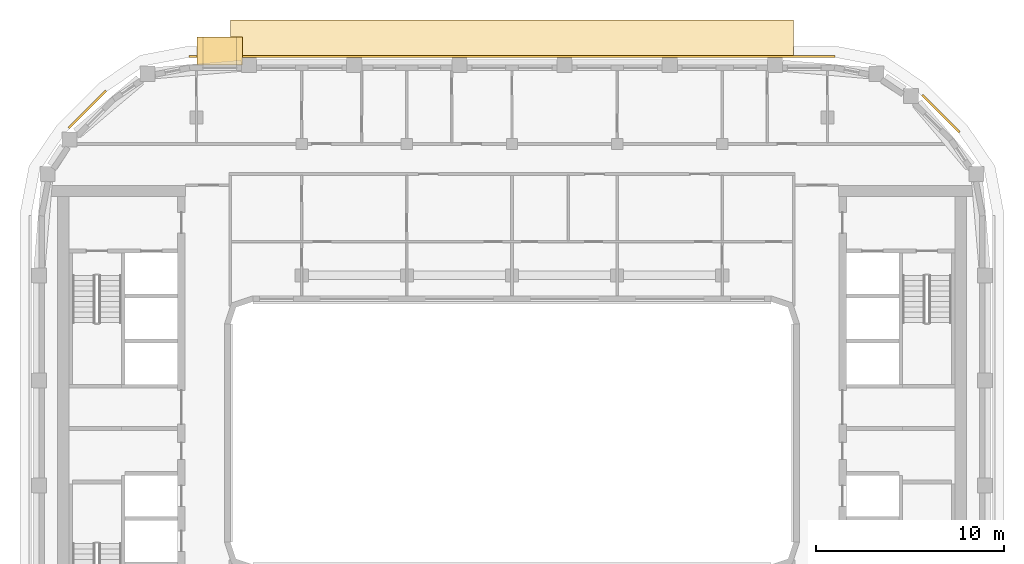
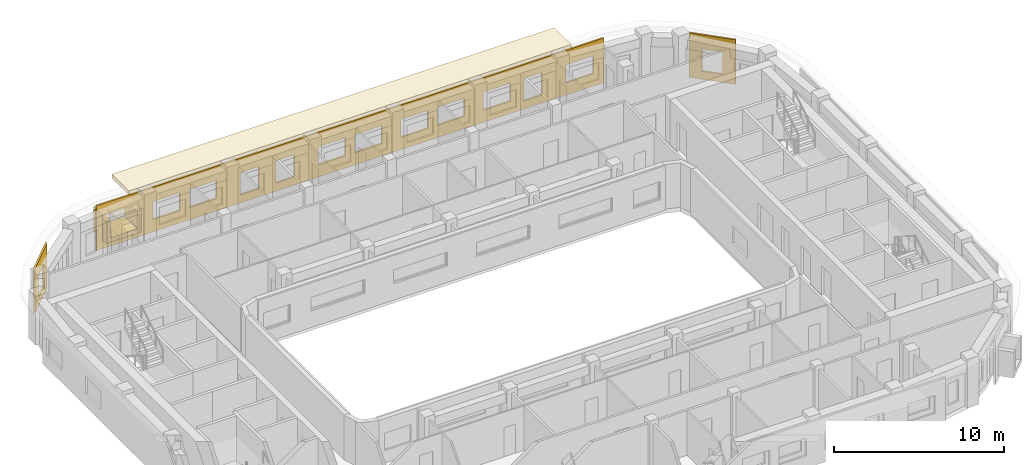
# One storey, part 16 of 16: 6 coverings.
"""IFC4 building model written with IfcOpenShell, lengths in metres."""

import ifcopenshell
import ifcopenshell.guid

model = None  # the IFC model being written
_history = None  # IfcOwnerHistory: only IFC2X3 demands one
_inside = {}  # id of a spatial element -> (the spatial element, [elements in it])
_under = {}  # id of a project, library or spatial element -> (it, [spatial elements below it])
_declared = {}  # id of a project -> (the project, [libraries it declares])
_typed = {}  # id of a type object -> (the type object, [elements of that type])
_made_of = {}  # id of a material, layer set ... -> (it, [elements and type objects made of it])


def new_model(schema):
    """Start an empty IFC model of exactly this schema.

    Asked for "IFC4X3", IfcOpenShell would pick the latest addendum, in which some entities
    have other attributes; the version numbers below select the first issue.
    IFC2X3 requires an IfcOwnerHistory on every rooted entity: one is made here for all.
    """
    global model, _history
    if schema == "IFC4X3":
        model = ifcopenshell.file(schema_version=(4, 3, 0, 0))
    else:
        model = ifcopenshell.file(schema=schema)
    _inside.clear()
    _under.clear()
    _declared.clear()
    _typed.clear()
    _made_of.clear()
    _history = None
    if model.schema == "IFC2X3":
        org = make("IfcOrganization", Name="unknown")
        user = make(
            "IfcPersonAndOrganization",
            ThePerson=make("IfcPerson", FamilyName="unknown"),
            TheOrganization=org,
        )
        app = make(
            "IfcApplication",
            ApplicationDeveloper=org,
            Version="unknown",
            ApplicationFullName="unknown",
            ApplicationIdentifier="unknown",
        )
        _history = make(
            "IfcOwnerHistory",
            OwningUser=user,
            OwningApplication=app,
            ChangeAction="ADDED",
            CreationDate=0,
        )
    return model


def make(cls, **values):
    """One entity of the class cls with the attributes given. An attribute that is None is left unset."""
    return model.create_entity(
        cls, **{name: value for name, value in values.items() if value is not None}
    )


def rooted(cls, **values):
    """An entity with a GlobalId (a new one), such as an element, a storey or a relation."""
    return make(cls, GlobalId=ifcopenshell.guid.new(), OwnerHistory=_history, **values)


def si_unit(unit_type, name, prefix=None):
    """IfcSIUnit, for example si_unit("LENGTHUNIT", "METRE", prefix="MILLI")."""
    return make("IfcSIUnit", UnitType=unit_type, Prefix=prefix, Name=name)


def assignment(units):
    """IfcUnitAssignment: the units of a project."""
    return None if units is None else make("IfcUnitAssignment", Units=units)


def point(xyz):
    """IfcCartesianPoint."""
    return None if xyz is None else make("IfcCartesianPoint", Coordinates=xyz)


def direction(xyz):
    """IfcDirection."""
    return None if xyz is None else make("IfcDirection", DirectionRatios=xyz)


def frame(location, z_axis=None, x_axis=None):
    """IfcAxis2Placement3D, a coordinate frame: its origin and axes. An axis left out is left unset."""
    return make(
        "IfcAxis2Placement3D",
        Location=point(location),
        Axis=direction(z_axis),
        RefDirection=direction(x_axis),
    )


def frame_2d(location, x_axis=None):
    """IfcAxis2Placement2D, a coordinate frame in the plane: its origin and x axis."""
    return make(
        "IfcAxis2Placement2D", Location=point(location), RefDirection=direction(x_axis)
    )


def origin():
    """The frame at (0, 0, 0) with its axes left unset."""
    return frame((0.0, 0.0, 0.0))


def origin_2d():
    """The frame at (0, 0) in the plane with its x axis left unset."""
    return frame_2d((0.0, 0.0))


def place(relative_to, where):
    """IfcLocalPlacement: puts the frame where relative to a parent placement (None: the world)."""
    return make(
        "IfcLocalPlacement", PlacementRelTo=relative_to, RelativePlacement=where
    )


def context(
    kind, dimensions, precision=None, world=None, true_north=None, identifier=None
):
    """IfcGeometricRepresentationContext, for example the 3D "Model" context."""
    return make(
        "IfcGeometricRepresentationContext",
        ContextIdentifier=identifier,
        ContextType=kind,
        CoordinateSpaceDimension=dimensions,
        Precision=precision,
        WorldCoordinateSystem=world,
        TrueNorth=true_north,
    )


def subcontext(parent, identifier, kind, view, scale=None):
    """IfcGeometricRepresentationSubContext, for example "Body" below "Model"."""
    return make(
        "IfcGeometricRepresentationSubContext",
        ContextIdentifier=identifier,
        ContextType=kind,
        ParentContext=parent,
        TargetScale=scale,
        TargetView=view,
    )


def project(units=None, contexts=None):
    """IfcProject with its units and contexts."""
    return rooted(
        "IfcProject",
        Name="project",
        RepresentationContexts=contexts,
        UnitsInContext=assignment(units),
    )


def spatial(cls, under=None, at=None, **own):
    """A site, building, storey or space (cls), placed at a placement, below another one or the project."""
    s = rooted(cls, ObjectPlacement=at, **own)
    if under is not None:
        _under.setdefault(under.id(), (under, []))[1].append(s)
    return s


def polyline(points):
    """IfcPolyline through the points."""
    return make("IfcPolyline", Points=[point(p) for p in points])


def profile(cls, at=None, kind="AREA", **sizes):
    """A parametric profile (cls). Its sizes go by their IFC names, for example OverallWidth=200.0."""
    return make(cls, ProfileType=kind, Position=at, **sizes)


def rectangle(**sizes):
    """IfcRectangleProfileDef."""
    return profile("IfcRectangleProfileDef", **sizes)


def outline(outer, holes=None, kind="AREA"):
    """IfcArbitraryClosedProfileDef: a profile drawn as a closed curve; with holes, ...WithVoids."""
    if holes is None:
        return make("IfcArbitraryClosedProfileDef", ProfileType=kind, OuterCurve=outer)
    return make(
        "IfcArbitraryProfileDefWithVoids",
        ProfileType=kind,
        OuterCurve=outer,
        InnerCurves=holes,
    )


def extrude(swept, where, along, depth):
    """IfcExtrudedAreaSolid: the profile swept, set in the frame where, extruded along a direction by depth."""
    return make(
        "IfcExtrudedAreaSolid",
        SweptArea=swept,
        Position=where,
        ExtrudedDirection=direction(along),
        Depth=depth,
    )


def shape(context_of_items, identifier, shape_type, items):
    """IfcShapeRepresentation: the items that make up one representation, for example the "Body"."""
    return make(
        "IfcShapeRepresentation",
        ContextOfItems=context_of_items,
        RepresentationIdentifier=identifier,
        RepresentationType=shape_type,
        Items=items,
    )


def material(Name=None, Category=None):
    """IfcMaterial."""
    return make("IfcMaterial", Name=Name, Category=Category)


def layer(
    of_material, thickness, ventilated=None, Name=None, Category=None, Priority=None
):
    """IfcMaterialLayer: one layer of a wall or slab, of a material (None: an air gap)."""
    return make(
        "IfcMaterialLayer",
        Material=of_material,
        LayerThickness=thickness,
        IsVentilated=ventilated,
        Name=Name,
        Category=Category,
        Priority=Priority,
    )


def layer_set(layers, Name=None):
    """IfcMaterialLayerSet."""
    return make("IfcMaterialLayerSet", MaterialLayers=layers, LayerSetName=Name)


def made_of(thing, what):
    """Note that an element or type object is made of a material, layer set ...; save() writes the relation."""
    if what is not None:
        _made_of.setdefault(what.id(), (what, []))[1].append(thing)
    return thing


def type_object(cls, material=None, **own):
    """A type object (cls), such as IfcWallType, which elements share."""
    return made_of(rooted(cls, **own), material)


def element(
    cls,
    number,
    at=None,
    inside=None,
    cuts=None,
    type_object=None,
    material=None,
    context=None,
    identifier="Body",
    shape_type=None,
    held_by="IfcProductDefinitionShape",
    body=None,
    shapes=None,
    **own,
):
    """One element of the class cls, such as IfcWall. Its Tag is "e" and its number.

    at: its placement. inside: the storey or other place that contains it. cuts: it is an
    opening in that element (IfcRelVoidsElement). A single representation is given by context,
    identifier, shape_type and body (its items); several are given by shapes. held_by: the class
    of the entity that holds the representations. save() writes the other relations.
    """
    e = rooted(cls, Tag="e%d" % number, ObjectPlacement=at, **own)
    if body is not None:
        shapes = [shape(context, identifier, shape_type, body)]
    if shapes is not None:
        e.Representation = make(held_by, Representations=shapes)
    if inside is not None:
        _inside.setdefault(inside.id(), (inside, []))[1].append(e)
    if cuts is not None:
        rooted(
            "IfcRelVoidsElement", RelatingBuildingElement=cuts, RelatedOpeningElement=e
        )
    if type_object is not None:
        _typed.setdefault(type_object.id(), (type_object, []))[1].append(e)
    return made_of(e, material)


def aggregate(whole, parts):
    """IfcRelAggregates: a whole, such as a stair, and the parts it consists of."""
    return rooted("IfcRelAggregates", RelatingObject=whole, RelatedObjects=parts)


def save(model, path):
    """Write the relations noted so far, then the file.

    IfcRelAggregates (storeys below a building ...), IfcRelContainedInSpatialStructure (elements
    in a storey), IfcRelDefinesByType, IfcRelAssociatesMaterial and IfcRelDeclares: one each for
    every whole, place, type object, material and project.
    """
    for whole, parts in _under.values():
        aggregate(whole, parts)
    for where, things in _inside.values():
        rooted(
            "IfcRelContainedInSpatialStructure",
            RelatedElements=things,
            RelatingStructure=where,
        )
    for kind, things in _typed.values():
        rooted("IfcRelDefinesByType", RelatedObjects=things, RelatingType=kind)
    for what, things in _made_of.values():
        rooted("IfcRelAssociatesMaterial", RelatedObjects=things, RelatingMaterial=what)
    for by, libraries in _declared.values():
        rooted("IfcRelDeclares", RelatingContext=by, RelatedDefinitions=libraries)
    model.write(path)


model = new_model("IFC4")

# Units and contexts
model_context = context("Model", 3, precision=1e-05, world=origin(), true_north=direction((0.0, 1.0)))
body_context = subcontext(model_context, "Body", "Model", "MODEL_VIEW")
ifc_project = project(units=[si_unit("LENGTHUNIT", "METRE"), si_unit("AREAUNIT", "SQUARE_METRE"), si_unit("VOLUMEUNIT", "CUBIC_METRE"), si_unit("PLANEANGLEUNIT", "RADIAN"), si_unit("MASSUNIT", "GRAM", prefix="KILO")], contexts=[model_context])

# Site, building, storey
site_placement = place(None, origin())
site = spatial("IfcSite", under=ifc_project, at=site_placement, CompositionType="ELEMENT")
building_placement = place(site_placement, origin())
building = spatial("IfcBuilding", under=site, at=building_placement, Name="Kiln Ring Residences", CompositionType="ELEMENT")
storey_placement = place(building_placement, frame((0.0, 0.0, 245.199951171875)))
storey = spatial("IfcBuildingStorey", under=building, at=storey_placement, Name="L63", CompositionType="ELEMENT", Elevation=245.199951171875)

# Coverings
ifc_material_1 = material(Name="Brick masonry, dark clay brick", Category="masonry")
ifc_layer_1 = layer(ifc_material_1, 0.300048828125)
ifc_layer_set_1 = layer_set([ifc_layer_1], Name="FRAME CHEEKS AND SILL 1500")
covering_type_1 = type_object("IfcCoveringType", Name="FRAME CHEEKS AND SILL 1500", PredefinedType="CLADDING", material=ifc_layer_set_1)
covering_1_placement = place(storey_placement, frame((-14.362548828125, 20.35009765625, 0.60009765625), z_axis=(0.0, 0.0, 1.0), x_axis=(-1.0, 0.0, 0.0)))
element("IfcCovering", 1, at=covering_1_placement, inside=storey, type_object=covering_type_1, Name="FRAME L63", PredefinedType="CLADDING", context=body_context, shape_type="SweptSolid", body=[
    extrude(outline(polyline([(0.0, 0.0), (2.39990234375, 0.0), (2.39990234375, 1.550048828125), (2.10107421875, 1.550048828125), (2.10009765625, 0.300048828125), (0.300048828125, 0.300048828125), (0.299072265625, 1.550048828125), (0.0, 1.550048828125), (0.0, 0.0)])), frame((0.0, 0.75, 0.0), z_axis=(0.0, -1.0, 0.0), x_axis=(1.0, 0.0, 0.0)), (0.0, 0.0, 1.0), 1.5),
])
ifc_material_2 = material(Name="Brick masonry, dark clay brick", Category="masonry")
ifc_layer_2 = layer(ifc_material_2, 0.199951171875)
ifc_layer_set_2 = layer_set([ifc_layer_2], Name="FRAME HEAD 1500")
covering_type_2 = type_object("IfcCoveringType", Name="FRAME HEAD 1500", PredefinedType="CLADDING", material=ifc_layer_set_2)
covering_2_placement = place(storey_placement, frame((-15.5625, 20.35009765625, 2.14990234375), z_axis=(0.0, 0.0, 1.0), x_axis=(-1.0, 0.0, 0.0)))
element("IfcCovering", 2, at=covering_2_placement, inside=storey, type_object=covering_type_2, Name="FRAME HEAD L63", PredefinedType="CLADDING", context=body_context, shape_type="SweptSolid", body=[
    extrude(rectangle(XDim=2.39990234375, YDim=1.5, at=origin_2d()), origin(), (0.0, 0.0, 1.0), 0.199951171875),
])
ifc_material_3 = material(Name="Brick masonry, dark clay brick", Category="masonry")
ifc_layer_3 = layer(ifc_material_3, 0.1201171875)
ifc_layer_set_3 = layer_set([ifc_layer_3], Name="RAINSCREEN PANEL 120")
covering_type_3 = type_object("IfcCoveringType", Name="RAINSCREEN PANEL 120", PredefinedType="CLADDING", material=ifc_layer_set_3)
covering_3_placement = place(storey_placement, frame((23.828125, 16.022216796875, 0.0), z_axis=(0.0, 0.0, 1.0), x_axis=(-0.707063182409, 0.707150377276, 0.0)))
element("IfcCovering", 3, at=covering_3_placement, inside=storey, type_object=covering_type_3, Name="RAINSCREEN L63", PredefinedType="CLADDING", context=body_context, shape_type="SweptSolid", body=[
    extrude(outline(polyline([(0.0, 0.0), (2.800048828125, 0.0), (2.800048828125, 3.199951171875), (0.0, 3.199951171875), (0.0, 0.0)]), holes=[polyline([(0.780029296875, 2.170166015625), (0.780029296875, 0.580078125), (2.02001953125, 0.580078125), (2.02001953125, 2.170166015625), (0.780029296875, 2.170166015625)])]), frame((0.0, 0.06005859375, 0.0), z_axis=(0.0, -1.0, 0.0), x_axis=(1.0, 0.0, 0.0)), (0.0, 0.0, 1.0), 0.1201171875),
])
covering_4_placement = place(storey_placement, frame((17.199951171875, 20.06005859375, 0.0), z_axis=(0.0, 0.0, 1.0), x_axis=(-1.0, 0.0, 0.0)))
element("IfcCovering", 4, at=covering_4_placement, inside=storey, type_object=covering_type_3, Name="RAINSCREEN L63", PredefinedType="CLADDING", context=body_context, shape_type="SweptSolid", body=[
    extrude(outline(polyline([(0.0, 0.0), (34.39990234375, 0.0), (34.39990234375, 3.199951171875), (0.0, 3.199951171875), (0.0, 0.0)]), holes=[polyline([(4.179931640625, 0.580078125), (5.419921875, 0.580078125), (5.419921875, 2.170166015625), (4.179931640625, 2.170166015625), (4.179931640625, 0.580078125)]), polyline([(0.717529296875, 2.170166015625), (0.717529296875, 0.880126953125), (2.5576171875, 0.880126953125), (2.5576171875, 2.170166015625), (0.717529296875, 2.170166015625)]), polyline([(6.3173828125, 2.170166015625), (6.3173828125, 0.880126953125), (8.157470703125, 0.880126953125), (8.157470703125, 2.170166015625), (6.3173828125, 2.170166015625)]), polyline([(9.4423828125, 0.880126953125), (11.282470703125, 0.880126953125), (11.282470703125, 2.170166015625), (9.4423828125, 2.170166015625), (9.4423828125, 0.880126953125)]), polyline([(11.91748046875, 2.170166015625), (11.91748046875, 0.880126953125), (13.757568359375, 0.880126953125), (13.757568359375, 2.170166015625), (11.91748046875, 2.170166015625)]), polyline([(15.04248046875, 2.170166015625), (15.04248046875, 0.880126953125), (16.882568359375, 0.880126953125), (16.882568359375, 2.170166015625), (15.04248046875, 2.170166015625)]), polyline([(20.97998046875, 0.580078125), (22.219970703125, 0.580078125), (22.219970703125, 2.170166015625), (20.97998046875, 2.170166015625), (20.97998046875, 0.580078125)]), polyline([(23.3798828125, 2.170166015625), (23.3798828125, 0.580078125), (24.6201171875, 0.580078125), (24.6201171875, 2.170166015625), (23.3798828125, 2.170166015625)]), polyline([(31.54248046875, 2.3701171875), (31.54248046875, 0.580078125), (33.982421875, 0.580078125), (33.982421875, 2.3701171875), (31.54248046875, 2.3701171875)]), polyline([(17.517578125, 0.880126953125), (19.357421875, 0.880126953125), (19.357421875, 2.170166015625), (17.517578125, 2.170166015625), (17.517578125, 0.880126953125)]), polyline([(26.242431640625, 2.170166015625), (26.242431640625, 0.880126953125), (28.08251953125, 0.880126953125), (28.08251953125, 2.170166015625), (26.242431640625, 2.170166015625)]), polyline([(28.717529296875, 2.170166015625), (28.717529296875, 0.880126953125), (30.5576171875, 0.880126953125), (30.5576171875, 2.170166015625), (28.717529296875, 2.170166015625)])]), frame((0.0, 0.06005859375, 0.0), z_axis=(0.0, -1.0, 0.0), x_axis=(1.0, 0.0, 0.0)), (0.0, 0.0, 1.0), 0.1201171875),
])
covering_5_placement = place(storey_placement, frame((-21.622314453125, 18.228271484375, 0.0), z_axis=(0.0, 0.0, 1.0), x_axis=(-0.707106781187, -0.707106781187, 0.0)))
element("IfcCovering", 5, at=covering_5_placement, inside=storey, type_object=covering_type_3, Name="RAINSCREEN L63", PredefinedType="CLADDING", context=body_context, shape_type="SweptSolid", body=[
    extrude(outline(polyline([(0.0, 0.0), (2.800048828125, 0.0), (2.800048828125, 3.199951171875), (0.0, 3.199951171875), (0.0, 0.0)]), holes=[polyline([(0.780029296875, 2.170166015625), (0.780029296875, 0.580078125), (2.02001953125, 0.580078125), (2.02001953125, 2.170166015625), (0.780029296875, 2.170166015625)])]), frame((0.0, 0.06005859375, 0.0), z_axis=(0.0, -1.0, 0.0), x_axis=(1.0, 0.0, 0.0)), (0.0, 0.0, 1.0), 0.1201171875),
])
ifc_material_4 = material(Name="Black powder-coated steel", Category="steel")
ifc_layer_4 = layer(ifc_material_4, 0.300048828125)
ifc_layer_set_4 = layer_set([ifc_layer_4], Name="SUNSHADE BAND 2000")
covering_type_4 = type_object("IfcCoveringType", Name="SUNSHADE BAND 2000", PredefinedType="CLADDING", material=ifc_layer_set_4)
covering_6_placement = place(storey_placement, frame((0.0, 0.0, 3.199951171875)))
element("IfcCovering", 6, at=covering_6_placement, inside=storey, type_object=covering_type_4, Name="SUNSHADE BAND L63", PredefinedType="CLADDING", context=body_context, shape_type="SweptSolid", body=[
    extrude(outline(polyline([(15.0, 22.0), (-15.0, 22.0), (-15.0, 20.0), (15.0, 20.0), (15.0, 22.0)])), origin(), (0.0, 0.0, 1.0), 0.300048828125),
])

save(model, "model.ifc")
